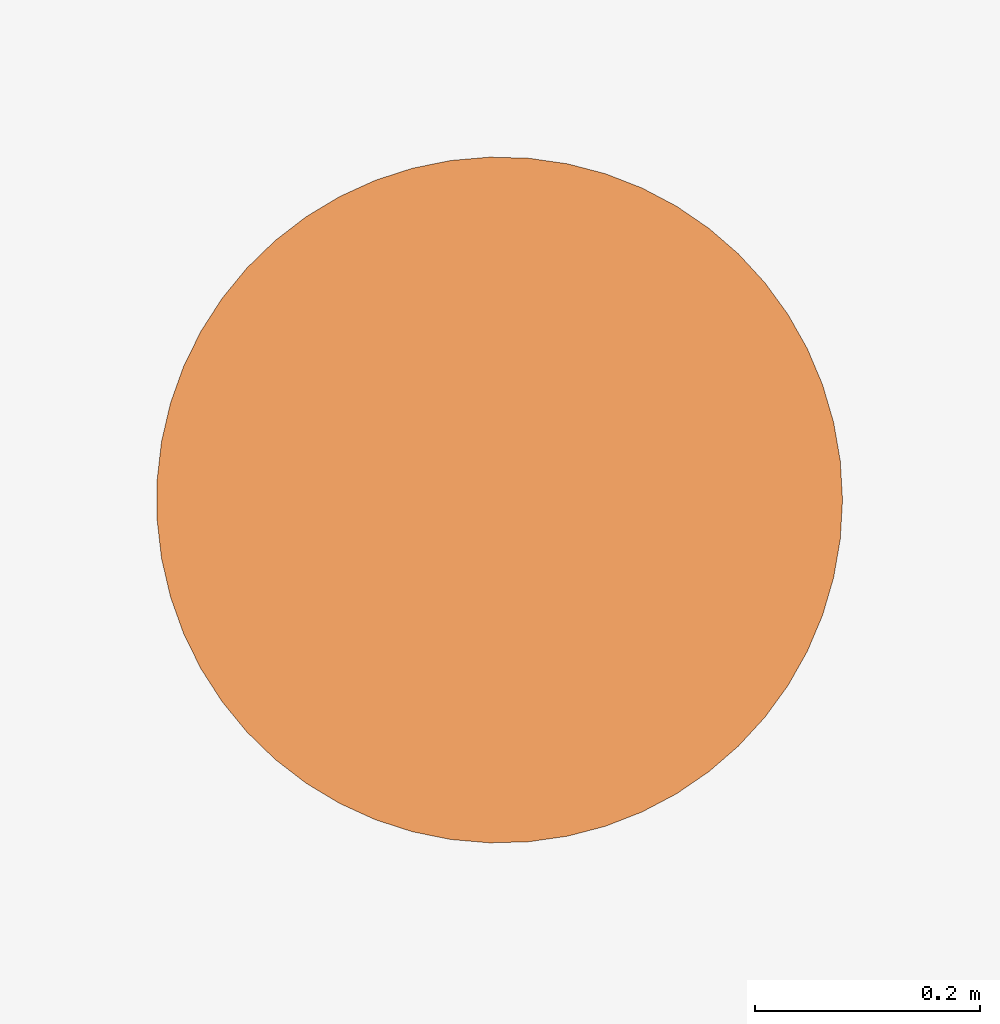
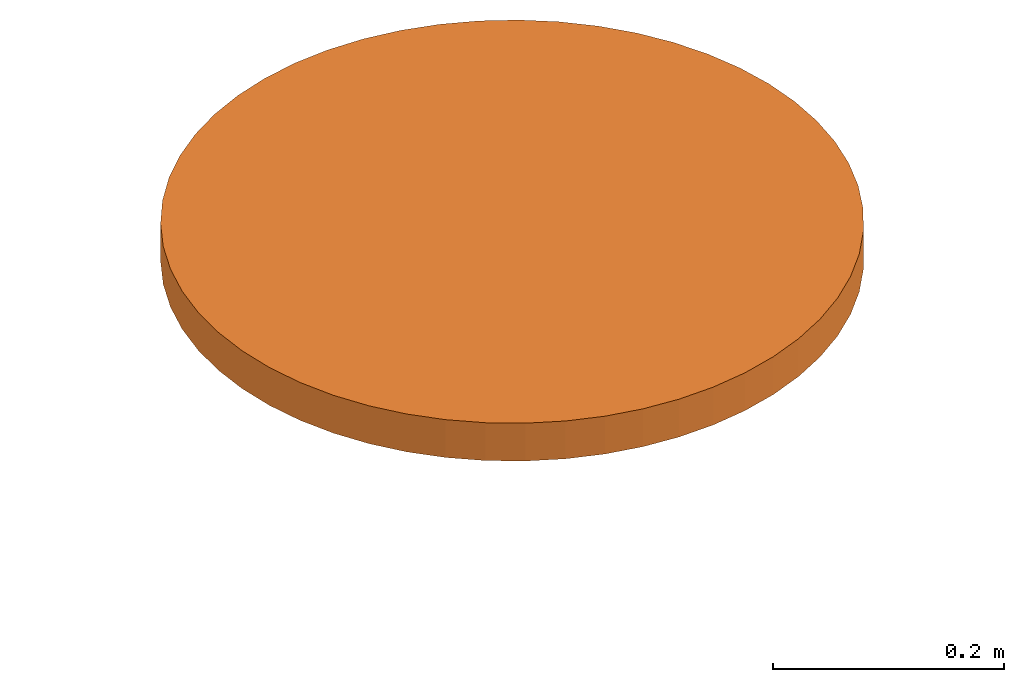
# One storey, part 3 of 3: 1 proxy.
"""IFC4 building model written with IfcOpenShell, lengths in metres."""

from ifc_helpers import new_model, si_unit, direction, frame, origin, origin_2d, place, context, subcontext, project, spatial, circle, extrude, material, material_profile, profile_set, type_object, element, save


model = new_model("IFC4")

# Units and contexts
model_context = context("Model", 3, precision=1e-05, world=origin(), true_north=direction((0.0, 1.0)))
body_context = subcontext(model_context, "Body", "Model", "MODEL_VIEW")
ifc_project = project(units=[si_unit("LENGTHUNIT", "METRE"), si_unit("AREAUNIT", "SQUARE_METRE"), si_unit("VOLUMEUNIT", "CUBIC_METRE"), si_unit("PLANEANGLEUNIT", "RADIAN"), si_unit("MASSUNIT", "GRAM", prefix="KILO")], contexts=[model_context])

# Site, building, storey
site_placement = place(None, origin())
site = spatial("IfcSite", under=ifc_project, at=site_placement, CompositionType="ELEMENT")
building_placement = place(site_placement, origin())
building = spatial("IfcBuilding", under=site, at=building_placement, Name="Qingtian Harvest Tower", CompositionType="ELEMENT")
storey_placement = place(building_placement, frame((0.0, 0.0, 348.60009765625)))
storey = spatial("IfcBuildingStorey", under=building, at=storey_placement, Name="ROOF", CompositionType="ELEMENT", Elevation=348.60009765625)

# Proxy
ifc_material = material(Name="Steel SN490B", Category="steel")
ifc_material_profile = material_profile(ifc_material, circle(Radius=0.304931640625, at=origin_2d()), Name="PL610 ROUND X 40")
ifc_profile_set = profile_set([ifc_material_profile], Name="Steel SN490B")
building_element_proxy_type = type_object("IfcBuildingElementProxyType", Name="Column cap plate CP4 PL610 ROUND X 40", PredefinedType="NOTDEFINED", material=ifc_profile_set)
proxy_placement = place(storey_placement, frame((0.0, 0.0, 49.39990234375), z_axis=(0.0, 0.0, 1.0), x_axis=(1.0, 0.0, 0.0)))
element("IfcBuildingElementProxy", 1, at=proxy_placement, inside=storey, type_object=building_element_proxy_type, Name="Cap plate CP4 on Spire mast SP3", PredefinedType="NOTDEFINED", context=body_context, shape_type="SweptSolid", body=[
    extrude(circle(Radius=0.304931640625, at=origin_2d()), origin(), (0.0, 0.0, 1.0), 0.0400390625),
])

save(model, "model.ifc")
